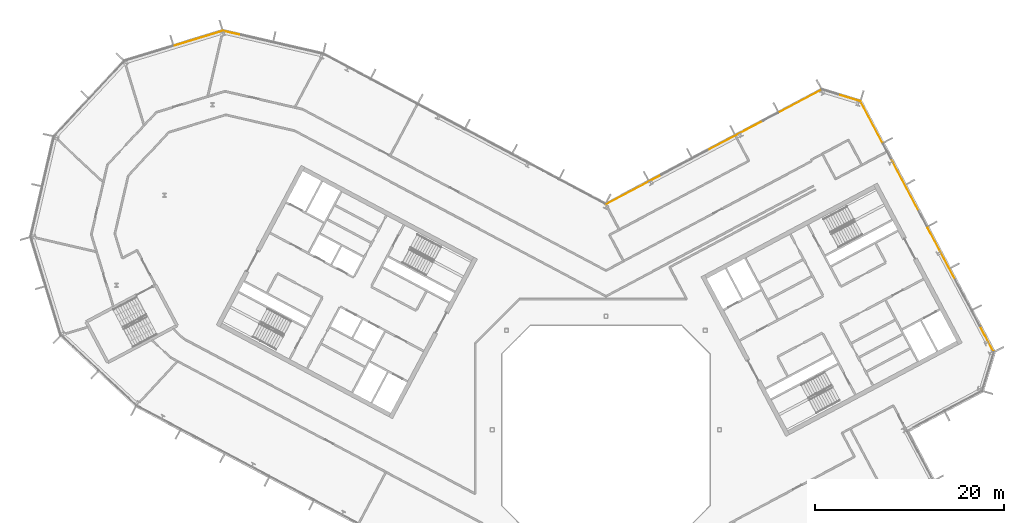
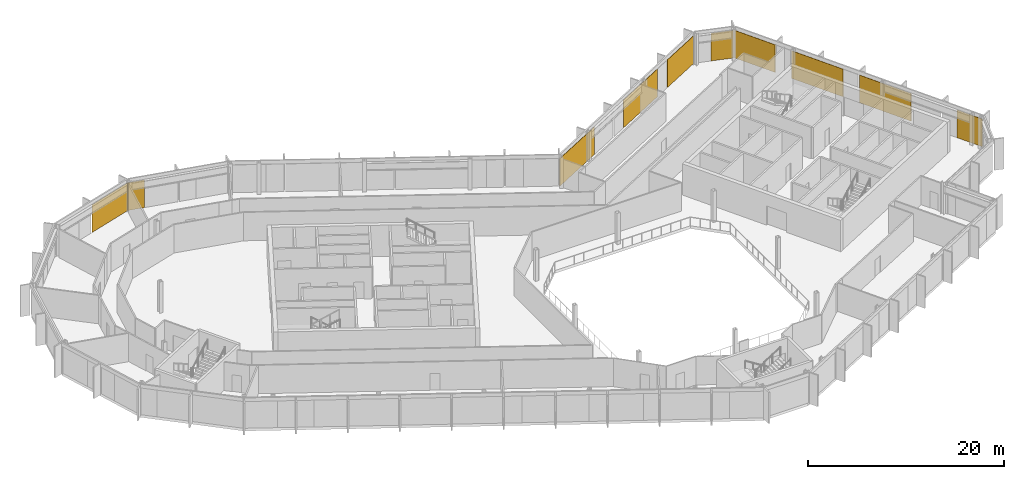
# One storey, part 26 of 26: 10 coverings, 5 elements without a shape of their own.
"""IFC4 building model written with IfcOpenShell, lengths in metres."""

from ifc_helpers import new_model, si_unit, direction, frame, origin, origin_2d, place, context, subcontext, project, spatial, rectangle, extrude, material, layer, layer_set, type_object, element, aggregate, save


model = new_model("IFC4")

# Units and contexts
model_context = context("Model", 3, precision=1e-05, world=origin(), true_north=direction((0.0, 1.0)))
body_context = subcontext(model_context, "Body", "Model", "MODEL_VIEW")
ifc_project = project(units=[si_unit("LENGTHUNIT", "METRE"), si_unit("AREAUNIT", "SQUARE_METRE"), si_unit("VOLUMEUNIT", "CUBIC_METRE"), si_unit("PLANEANGLEUNIT", "RADIAN"), si_unit("MASSUNIT", "GRAM", prefix="KILO")], contexts=[model_context])

# Site, building, storey
site_placement = place(None, origin())
site = spatial("IfcSite", under=ifc_project, at=site_placement, CompositionType="ELEMENT")
building_placement = place(site_placement, origin())
building = spatial("IfcBuilding", under=site, at=building_placement, Name="Cormorant Relay Tower", CompositionType="ELEMENT")
storey_placement = place(building_placement, frame((0.0, 0.0, 285.300048828125)))
storey = spatial("IfcBuildingStorey", under=building, at=storey_placement, Name="L64", CompositionType="ELEMENT", Elevation=285.300048828125)

# Curtain wall, coverings
ifc_material_1 = material(Name="Aluminium 6063-T6 anodised bronze", Category="aluminium")
ifc_layer_1 = layer(ifc_material_1, 0.199951171875)
ifc_layer_set_1 = layer_set([ifc_layer_1], Name="CW1 unitised bronze curtain wall with vertical fins")
curtain_wall_type = type_object("IfcCurtainWallType", Name="CW1 unitised bronze curtain wall with vertical fins", PredefinedType="NOTDEFINED", material=ifc_layer_set_1)
curtain_wall_1_placement = place(storey_placement, origin())
curtain_wall_1 = element("IfcCurtainWall", 1, at=curtain_wall_1_placement, inside=storey, type_object=curtain_wall_type, Name="CW1 curtain wall 6", PredefinedType="NOTDEFINED")
ifc_material_2 = material(Name="Pale bronze anodised aluminium insulated panel", Category="aluminium")
ifc_layer_2 = layer(ifc_material_2, 0.0400390625)
ifc_layer_set_2 = layer_set([ifc_layer_2], Name="CW1 pale bronze insulated panel 40")
covering_type = type_object("IfcCoveringType", Name="CW1 pale bronze insulated panel 40", PredefinedType="CLADDING", material=ifc_layer_set_2)
covering_1_placement = place(storey_placement, frame((40.218017578125, 9.605712890625, 0.0), z_axis=(0.0, 0.0, 1.0), x_axis=(-0.469471562786, 0.882947592859, 0.0)))
covering_1 = element("IfcCovering", 2, at=covering_1_placement, type_object=covering_type, Name="CW1 panel S00", PredefinedType="CLADDING", context=body_context, shape_type="SweptSolid", body=[
    extrude(rectangle(XDim=3.050048828125, YDim=0.0400390625, at=origin_2d()), origin(), (0.0, 0.0, 1.0), 3.449951171875),
])
covering_2_placement = place(storey_placement, frame((35.429443359375, 18.61181640625, 0.0), z_axis=(0.0, 0.0, 1.0), x_axis=(-0.469471562786, 0.882947592859, 0.0)))
covering_2 = element("IfcCovering", 3, at=covering_2_placement, type_object=covering_type, Name="CW1 panel S03", PredefinedType="CLADDING", context=body_context, shape_type="SweptSolid", body=[
    extrude(rectangle(XDim=6.25, YDim=0.0400390625, at=origin_2d()), origin(), (0.0, 0.0, 1.0), 3.449951171875),
])
covering_3_placement = place(storey_placement, frame((31.579833984375, 25.851806640625, 0.0), z_axis=(0.0, 0.0, 1.0), x_axis=(-0.469471562786, 0.882947592859, 0.0)))
covering_3 = element("IfcCovering", 4, at=covering_3_placement, type_object=covering_type, Name="CW1 panel S05", PredefinedType="CLADDING", context=body_context, shape_type="SweptSolid", body=[
    extrude(rectangle(XDim=6.25, YDim=0.0400390625, at=origin_2d()), origin(), (0.0, 0.0, 1.0), 3.449951171875),
])
covering_4_placement = place(storey_placement, frame((28.041015625, 32.507080078125, 0.0), z_axis=(0.0, 0.0, 1.0), x_axis=(-0.469471562786, 0.882947592859, 0.0)))
covering_4 = element("IfcCovering", 5, at=covering_4_placement, type_object=covering_type, Name="CW1 panel S07", PredefinedType="CLADDING", context=body_context, shape_type="SweptSolid", body=[
    extrude(rectangle(XDim=4.925048828125, YDim=0.0400390625, at=origin_2d()), origin(), (0.0, 0.0, 1.0), 3.449951171875),
])
aggregate(curtain_wall_1, [covering_1, covering_2, covering_3, covering_4])

# Curtain wall, covering
curtain_wall_2_placement = place(storey_placement, origin())
curtain_wall_2 = element("IfcCurtainWall", 6, at=curtain_wall_2_placement, inside=storey, type_object=curtain_wall_type, Name="CW1 curtain wall 7", PredefinedType="NOTDEFINED")
covering_5_placement = place(storey_placement, frame((25.66943359375, 35.05908203125, 0.0), z_axis=(0.0, 0.0, 1.0), x_axis=(-0.956304755963, 0.292371704723, 0.0)))
covering_5 = element("IfcCovering", 7, at=covering_5_placement, type_object=covering_type, Name="CW1 panel S00", PredefinedType="CLADDING", context=body_context, shape_type="SweptSolid", body=[
    extrude(rectangle(XDim=2.36767578125, YDim=0.0400390625, at=origin_2d()), origin(), (0.0, 0.0, 1.0), 3.449951171875),
])
aggregate(curtain_wall_2, [covering_5])

# Curtain wall, coverings
curtain_wall_3_placement = place(storey_placement, origin())
curtain_wall_3 = element("IfcCurtainWall", 8, at=curtain_wall_3_placement, inside=storey, type_object=curtain_wall_type, Name="CW1 curtain wall 8", PredefinedType="NOTDEFINED")
covering_6_placement = place(storey_placement, frame((20.519775390625, 34.71728515625, 0.0), z_axis=(0.0, 0.0, 1.0), x_axis=(-0.882947592859, -0.469471562786, 0.0)))
covering_6 = element("IfcCovering", 9, at=covering_6_placement, type_object=covering_type, Name="CW1 panel S00", PredefinedType="CLADDING", context=body_context, shape_type="SweptSolid", body=[
    extrude(rectangle(XDim=5.016845703125, YDim=0.0400390625, at=origin_2d()), origin(), (0.0, 0.0, 1.0), 3.449951171875),
])
covering_7_placement = place(storey_placement, frame((13.6767578125, 31.07861328125, 0.0), z_axis=(0.0, 0.0, 1.0), x_axis=(-0.882947592859, -0.469471562786, 0.0)))
covering_7 = element("IfcCovering", 10, at=covering_7_placement, type_object=covering_type, Name="CW1 panel S02", PredefinedType="CLADDING", context=body_context, shape_type="SweptSolid", body=[
    extrude(rectangle(XDim=6.58349609375, YDim=0.0400390625, at=origin_2d()), origin(), (0.0, 0.0, 1.0), 3.449951171875),
])
covering_8_placement = place(storey_placement, frame((2.93017578125, 25.36474609375, 0.0), z_axis=(0.0, 0.0, 1.0), x_axis=(-0.882947592859, -0.469471562786, 0.0)))
covering_8 = element("IfcCovering", 11, at=covering_8_placement, type_object=covering_type, Name="CW1 panel S05", PredefinedType="CLADDING", context=body_context, shape_type="SweptSolid", body=[
    extrude(rectangle(XDim=6.65869140625, YDim=0.0400390625, at=origin_2d()), origin(), (0.0, 0.0, 1.0), 3.449951171875),
])
aggregate(curtain_wall_3, [covering_6, covering_7, covering_8])

# Curtain wall, covering
curtain_wall_4_placement = place(storey_placement, origin())
curtain_wall_4 = element("IfcCurtainWall", 12, at=curtain_wall_4_placement, inside=storey, type_object=curtain_wall_type, Name="CW1 curtain wall 10", PredefinedType="NOTDEFINED")
covering_9_placement = place(storey_placement, frame((-39.603515625, 41.934814453125, 0.0), z_axis=(0.0, 0.0, 1.0), x_axis=(-0.974370064785, 0.224951054344, 0.0)))
covering_9 = element("IfcCovering", 13, at=covering_9_placement, type_object=covering_type, Name="CW1 panel S03", PredefinedType="CLADDING", context=body_context, shape_type="SweptSolid", body=[
    extrude(rectangle(XDim=1.76025390625, YDim=0.0400390625, at=origin_2d()), origin(), (0.0, 0.0, 1.0), 3.449951171875),
])
aggregate(curtain_wall_4, [covering_9])

curtain_wall_5_placement = place(storey_placement, origin())
curtain_wall_5 = element("IfcCurtainWall", 14, at=curtain_wall_5_placement, inside=storey, type_object=curtain_wall_type, Name="CW1 curtain wall 11", PredefinedType="NOTDEFINED")
covering_10_placement = place(storey_placement, frame((-43.0703125, 41.337890625, 0.0), z_axis=(0.0, 0.0, 1.0), x_axis=(-0.956304755963, -0.292371704723, 0.0)))
covering_10 = element("IfcCovering", 15, at=covering_10_placement, type_object=covering_type, Name="CW1 panel S00", PredefinedType="CLADDING", context=body_context, shape_type="SweptSolid", body=[
    extrude(rectangle(XDim=5.28515625, YDim=0.0400390625, at=origin_2d()), origin(), (0.0, 0.0, 1.0), 3.449951171875),
])
aggregate(curtain_wall_5, [covering_10])

save(model, "model.ifc")
